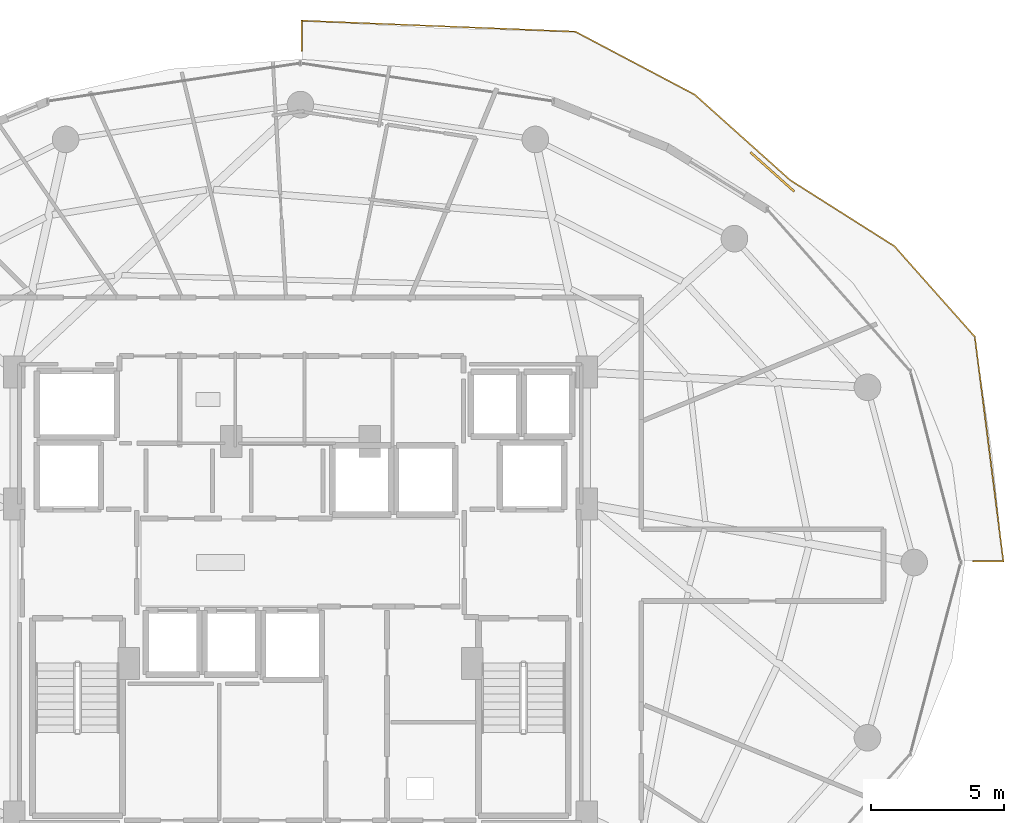
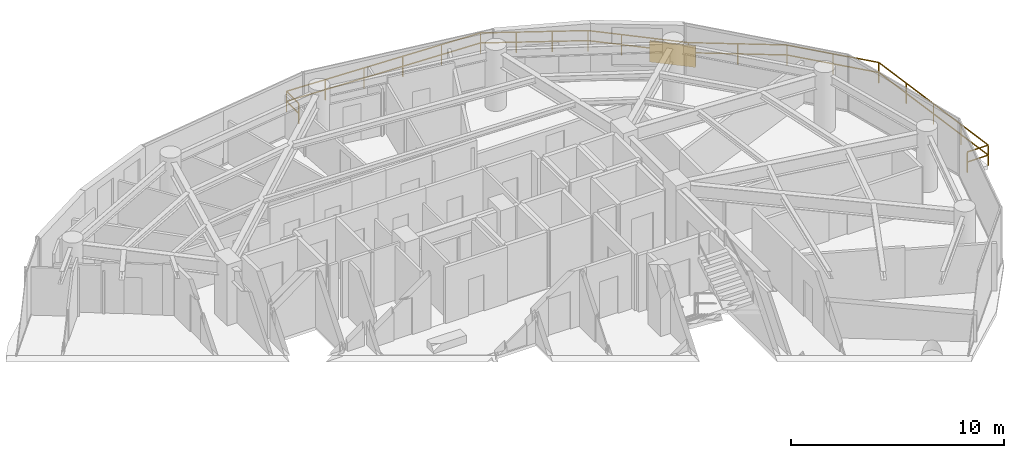
# One storey, part 27 of 28: 2 railings, 1 shading device.
"""IFC4 building model written with IfcOpenShell, lengths in metres."""

from ifc_helpers import new_model, si_unit, direction, frame, origin, origin_2d, place, context, subcontext, project, spatial, rectangle, extrude, material, type_object, element, save


model = new_model("IFC4")

# Units and contexts
model_context = context("Model", 3, precision=1e-05, world=origin(), true_north=direction((0.0, 1.0)))
body_context = subcontext(model_context, "Body", "Model", "MODEL_VIEW")
ifc_project = project(units=[si_unit("LENGTHUNIT", "METRE"), si_unit("AREAUNIT", "SQUARE_METRE"), si_unit("VOLUMEUNIT", "CUBIC_METRE"), si_unit("PLANEANGLEUNIT", "RADIAN"), si_unit("MASSUNIT", "GRAM", prefix="KILO")], contexts=[model_context])

# Site, building, storey
site_placement = place(None, origin())
site = spatial("IfcSite", under=ifc_project, at=site_placement, CompositionType="ELEMENT")
building_placement = place(site_placement, origin())
building = spatial("IfcBuilding", under=site, at=building_placement, Name="Vorneva Point Tower", CompositionType="ELEMENT")
storey_placement = place(building_placement, frame((0.0, 0.0, 160.60009765625)))
storey = spatial("IfcBuildingStorey", under=building, at=storey_placement, Name="L43", CompositionType="ELEMENT", Elevation=160.60009765625)

# Railings
ifc_material = material(Name="Pale anodised aluminium", Category="aluminium")
railing_type = type_object("IfcRailingType", Name="RL-BAL-1200", PredefinedType="BALUSTRADE", material=ifc_material)
railing_1_placement = place(storey_placement, frame((38.050048828125, 46.352294921875, 0.0)))
element("IfcRailing", 1, at=railing_1_placement, inside=storey, type_object=railing_type, Name="L43 Wave Balcony Balustrade NE.1", PredefinedType="BALUSTRADE", context=body_context, shape_type="SweptSolid", body=[
    extrude(rectangle(XDim=0.048095703125, YDim=0.048095703125, at=origin_2d()), frame((0.0, 0.0, 1.17578125), z_axis=(0.0, -1.0, 0.0), x_axis=(1.0, 0.0, 0.0)), (0.0, 0.0, 1.0), 1.135009765625),
    extrude(rectangle(XDim=0.048095703125, YDim=0.048095703125, at=origin_2d()), frame((0.0, 0.0, 0.60009765625), z_axis=(0.0, -1.0, 0.0), x_axis=(1.0, 0.0, 0.0)), (0.0, 0.0, 1.0), 1.135009765625),
    extrude(rectangle(XDim=0.0419921875, YDim=0.0419921875, at=origin_2d()), origin(), (0.0, 0.0, 1.0), 1.15185546875),
    extrude(rectangle(XDim=0.0419921875, YDim=0.0419921875, at=origin_2d()), frame((0.0, -1.135009765625, 0.0)), (0.0, 0.0, 1.0), 1.15185546875),
])
railing_2_placement = place(storey_placement, frame((63.26611328125, 26.050048828125, 0.0)))
element("IfcRailing", 2, at=railing_2_placement, inside=storey, type_object=railing_type, Name="L43 Wave Balcony Balustrade NE.2", PredefinedType="BALUSTRADE", context=body_context, shape_type="SweptSolid", body=[
    extrude(rectangle(XDim=0.048095703125, YDim=0.048095703125, at=origin_2d()), frame((0.0, 0.0, 1.17578125), z_axis=(1.0, 0.0, 0.0), x_axis=(0.0, 1.0, 0.0)), (0.0, 0.0, 1.0), 1.1337890625),
    extrude(rectangle(XDim=0.048095703125, YDim=0.048095703125, at=origin_2d()), frame((0.0, 0.0, 0.60009765625), z_axis=(1.0, 0.0, 0.0), x_axis=(0.0, 1.0, 0.0)), (0.0, 0.0, 1.0), 1.1337890625),
    extrude(rectangle(XDim=0.048095703125, YDim=0.048095703125, at=origin_2d()), frame((1.1337890625, 0.0, 1.17578125), z_axis=(-0.126032686267, 0.992026089371, 0.0), x_axis=(-0.992026089371, -0.126032686267, 0.0)), (0.0, 0.0, 1.0), 8.49609375),
    extrude(rectangle(XDim=0.048095703125, YDim=0.048095703125, at=origin_2d()), frame((1.1337890625, 0.0, 0.60009765625), z_axis=(-0.126032686267, 0.992026089371, 0.0), x_axis=(-0.992026089371, -0.126032686267, 0.0)), (0.0, 0.0, 1.0), 8.49609375),
    extrude(rectangle(XDim=0.048095703125, YDim=0.048095703125, at=origin_2d()), frame((0.06298828125, 8.428466796875, 1.17578125), z_axis=(-0.663743942906, 0.747959877437, 0.0), x_axis=(-0.747959877437, -0.663743942906, 0.0)), (0.0, 0.0, 1.0), 4.548583984375),
    extrude(rectangle(XDim=0.048095703125, YDim=0.048095703125, at=origin_2d()), frame((0.06298828125, 8.428466796875, 0.60009765625), z_axis=(-0.663743942906, 0.747959877437, 0.0), x_axis=(-0.747959877437, -0.663743942906, 0.0)), (0.0, 0.0, 1.0), 4.548583984375),
    extrude(rectangle(XDim=0.048095703125, YDim=0.048095703125, at=origin_2d()), frame((-2.9560546875, 11.83056640625, 1.17578125), z_axis=(-0.844638774344, 0.535336661246, 0.0), x_axis=(-0.535336661246, -0.844638774344, 0.0)), (0.0, 0.0, 1.0), 4.632568359375),
    extrude(rectangle(XDim=0.048095703125, YDim=0.048095703125, at=origin_2d()), frame((-2.9560546875, 11.83056640625, 0.60009765625), z_axis=(-0.844638774344, 0.535336661246, 0.0), x_axis=(-0.535336661246, -0.844638774344, 0.0)), (0.0, 0.0, 1.0), 4.632568359375),
    extrude(rectangle(XDim=0.048095703125, YDim=0.048095703125, at=origin_2d()), frame((-6.868896484375, 14.310546875, 1.17578125), z_axis=(-0.745181726232, 0.666861451045, 0.0), x_axis=(-0.666861451045, -0.745181726232, 0.0)), (0.0, 0.0, 1.0), 4.822265625),
    extrude(rectangle(XDim=0.048095703125, YDim=0.048095703125, at=origin_2d()), frame((-6.868896484375, 14.310546875, 0.60009765625), z_axis=(-0.745181726232, 0.666861451045, 0.0), x_axis=(-0.666861451045, -0.745181726232, 0.0)), (0.0, 0.0, 1.0), 4.822265625),
    extrude(rectangle(XDim=0.048095703125, YDim=0.048095703125, at=origin_2d()), frame((-10.46240234375, 17.5263671875, 1.17578125), z_axis=(-0.884464909332, 0.466606712512, 0.0), x_axis=(-0.466606712512, -0.884464909332, 0.0)), (0.0, 0.0, 1.0), 5.063232421875),
    extrude(rectangle(XDim=0.048095703125, YDim=0.048095703125, at=origin_2d()), frame((-10.46240234375, 17.5263671875, 0.60009765625), z_axis=(-0.884464909332, 0.466606712512, 0.0), x_axis=(-0.466606712512, -0.884464909332, 0.0)), (0.0, 0.0, 1.0), 5.063232421875),
    extrude(rectangle(XDim=0.048095703125, YDim=0.048095703125, at=origin_2d()), frame((-14.940673828125, 19.888916015625, 1.17578125), z_axis=(-0.999191945424, 0.040192738158, 0.0), x_axis=(-0.040192738158, -0.999191945424, 0.0)), (0.0, 0.0, 1.0), 10.28369140625),
    extrude(rectangle(XDim=0.048095703125, YDim=0.048095703125, at=origin_2d()), frame((-14.940673828125, 19.888916015625, 0.60009765625), z_axis=(-0.999191945424, 0.040192738158, 0.0), x_axis=(-0.040192738158, -0.999191945424, 0.0)), (0.0, 0.0, 1.0), 10.28369140625),
    extrude(rectangle(XDim=0.0419921875, YDim=0.0419921875, at=origin_2d()), origin(), (0.0, 0.0, 1.0), 1.15185546875),
    extrude(rectangle(XDim=0.0419921875, YDim=0.0419921875, at=origin_2d()), frame((1.1337890625, 0.0, 0.0)), (0.0, 0.0, 1.0), 1.15185546875),
    extrude(rectangle(XDim=0.0419921875, YDim=0.0419921875, at=origin_2d()), frame((0.8662109375, 2.107177734375, 0.0)), (0.0, 0.0, 1.0), 1.15185546875),
    extrude(rectangle(XDim=0.0419921875, YDim=0.0419921875, at=origin_2d()), frame((0.598388671875, 4.21435546875, 0.0)), (0.0, 0.0, 1.0), 1.15185546875),
    extrude(rectangle(XDim=0.0419921875, YDim=0.0419921875, at=origin_2d()), frame((0.33056640625, 6.3212890625, 0.0)), (0.0, 0.0, 1.0), 1.15185546875),
    extrude(rectangle(XDim=0.0419921875, YDim=0.0419921875, at=origin_2d()), frame((0.06298828125, 8.428466796875, 0.0)), (0.0, 0.0, 1.0), 1.15185546875),
    extrude(rectangle(XDim=0.0419921875, YDim=0.0419921875, at=origin_2d()), frame((-1.446533203125, 10.12939453125, 0.0)), (0.0, 0.0, 1.0), 1.15185546875),
    extrude(rectangle(XDim=0.0419921875, YDim=0.0419921875, at=origin_2d()), frame((-2.9560546875, 11.83056640625, 0.0)), (0.0, 0.0, 1.0), 1.15185546875),
    extrude(rectangle(XDim=0.0419921875, YDim=0.0419921875, at=origin_2d()), frame((-4.91259765625, 13.070556640625, 0.0)), (0.0, 0.0, 1.0), 1.15185546875),
    extrude(rectangle(XDim=0.0419921875, YDim=0.0419921875, at=origin_2d()), frame((-6.868896484375, 14.310546875, 0.0)), (0.0, 0.0, 1.0), 1.15185546875),
    extrude(rectangle(XDim=0.0419921875, YDim=0.0419921875, at=origin_2d()), frame((-8.066650390625, 15.382568359375, 0.0)), (0.0, 0.0, 1.0), 1.15185546875),
    extrude(rectangle(XDim=0.0419921875, YDim=0.0419921875, at=origin_2d()), frame((-9.2646484375, 16.454345703125, 0.0)), (0.0, 0.0, 1.0), 1.15185546875),
    extrude(rectangle(XDim=0.0419921875, YDim=0.0419921875, at=origin_2d()), frame((-10.46240234375, 17.5263671875, 0.0)), (0.0, 0.0, 1.0), 1.15185546875),
    extrude(rectangle(XDim=0.0419921875, YDim=0.0419921875, at=origin_2d()), frame((-11.955078125, 18.31396484375, 0.0)), (0.0, 0.0, 1.0), 1.15185546875),
    extrude(rectangle(XDim=0.0419921875, YDim=0.0419921875, at=origin_2d()), frame((-13.447998046875, 19.101318359375, 0.0)), (0.0, 0.0, 1.0), 1.15185546875),
    extrude(rectangle(XDim=0.0419921875, YDim=0.0419921875, at=origin_2d()), frame((-14.940673828125, 19.888916015625, 0.0)), (0.0, 0.0, 1.0), 1.15185546875),
    extrude(rectangle(XDim=0.0419921875, YDim=0.0419921875, at=origin_2d()), frame((-16.995849609375, 19.9716796875, 0.0)), (0.0, 0.0, 1.0), 1.15185546875),
    extrude(rectangle(XDim=0.0419921875, YDim=0.0419921875, at=origin_2d()), frame((-19.05078125, 20.05419921875, 0.0)), (0.0, 0.0, 1.0), 1.15185546875),
    extrude(rectangle(XDim=0.0419921875, YDim=0.0419921875, at=origin_2d()), frame((-21.10595703125, 20.136962890625, 0.0)), (0.0, 0.0, 1.0), 1.15185546875),
    extrude(rectangle(XDim=0.0419921875, YDim=0.0419921875, at=origin_2d()), frame((-23.160888671875, 20.219482421875, 0.0)), (0.0, 0.0, 1.0), 1.15185546875),
    extrude(rectangle(XDim=0.0419921875, YDim=0.0419921875, at=origin_2d()), frame((-25.216064453125, 20.30224609375, 0.0)), (0.0, 0.0, 1.0), 1.15185546875),
])

# Shading device
shading_device_type = type_object("IfcShadingDeviceType", Name="SHD-JAL-1200", PredefinedType="JALOUSIE", material=ifc_material)
shading_device_placement = place(storey_placement, frame((55.721923828125, 40.6728515625, -0.02001953125), z_axis=(0.0, 0.0, 1.0), x_axis=(-0.745173460098, 0.666870687889, 0.0)))
element("IfcShadingDevice", 3, at=shading_device_placement, inside=storey, type_object=shading_device_type, Name="L43 Balcony Vertical-Greenery Planter Screen NE.2", PredefinedType="JALOUSIE", context=body_context, shape_type="SweptSolid", body=[
    extrude(rectangle(XDim=2.199951171875, YDim=0.080078125, at=origin_2d()), origin(), (0.0, 0.0, 1.0), 1.199951171875),
])

save(model, "model.ifc")
